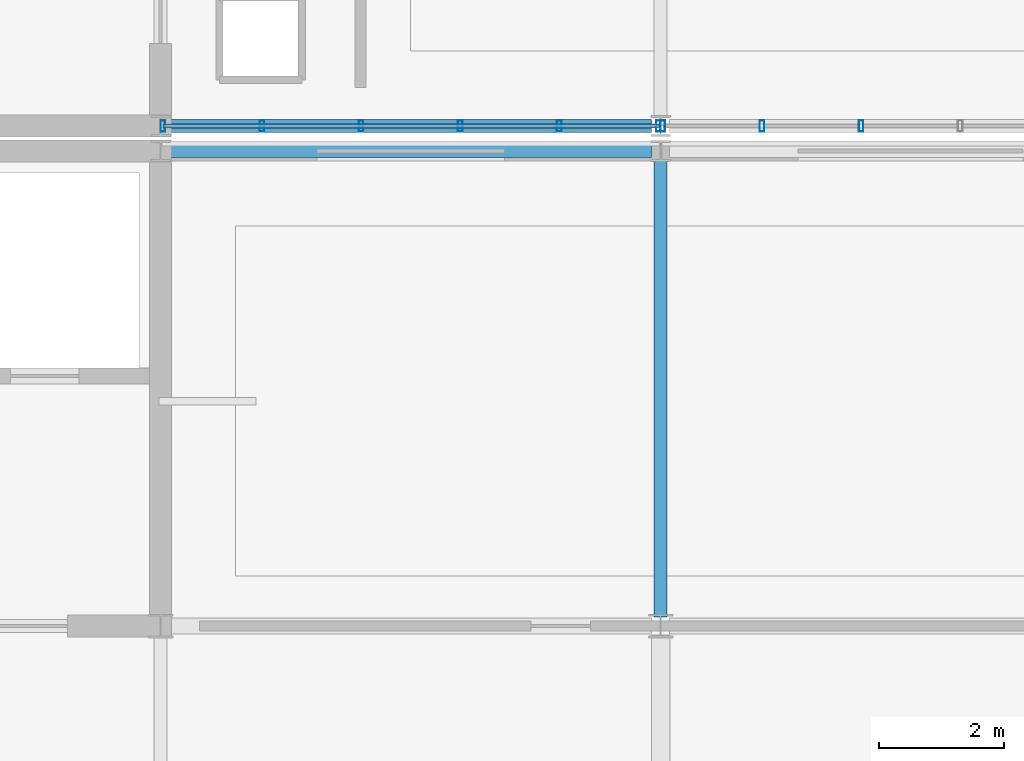
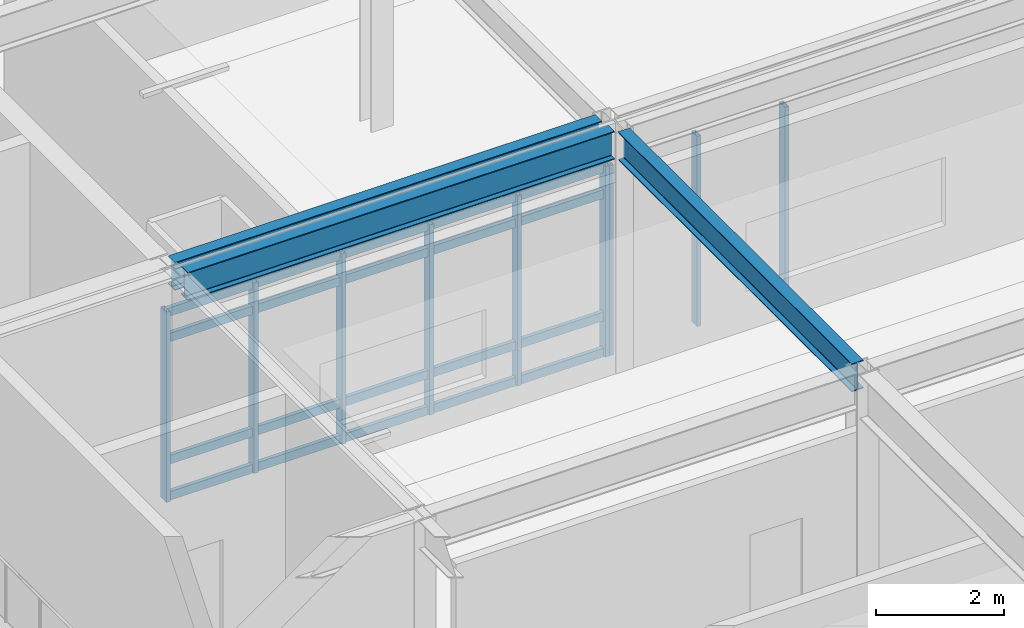
# One storey, part 61 of 104: 13 members, 3 beams, 2 elements without a shape of their own.
"""IFC4 building model written with IfcOpenShell, lengths in metres."""

from ifc_helpers import new_model, si_unit, direction, frame, origin, origin_2d, place, context, subcontext, project, spatial, hollow_rectangle, i_section, extrude, material, material_profile, profile_set, type_object, element, aggregate, save


model = new_model("IFC4")

# Units and contexts
model_context = context("Model", 3, precision=1e-05, world=origin(), true_north=direction((0.0, 1.0)))
body_context = subcontext(model_context, "Body", "Model", "MODEL_VIEW")
ifc_project = project(units=[si_unit("LENGTHUNIT", "METRE"), si_unit("AREAUNIT", "SQUARE_METRE"), si_unit("VOLUMEUNIT", "CUBIC_METRE"), si_unit("PLANEANGLEUNIT", "RADIAN"), si_unit("MASSUNIT", "GRAM", prefix="KILO")], contexts=[model_context])

# Site, building, storey
site_placement = place(None, origin())
site = spatial("IfcSite", under=ifc_project, at=site_placement, CompositionType="ELEMENT")
building_placement = place(site_placement, origin())
building = spatial("IfcBuilding", under=site, at=building_placement, Name="Zulena Civic Courthouse", CompositionType="ELEMENT")
storey_placement = place(building_placement, frame((0.0, 0.0, 15.60009765625)))
storey = spatial("IfcBuildingStorey", under=building, at=storey_placement, Name="L03", CompositionType="ELEMENT", Elevation=15.60009765625)

# Curtain wall, members
ifc_material_1 = material(Name="Double-silver low-E laminated solar-control glass", Category="glass")
curtain_wall_type = type_object("IfcCurtainWallType", Name="CW_7928x3635", PredefinedType="USERDEFINED", material=ifc_material_1)
curtain_wall_1_placement = place(storey_placement, origin())
curtain_wall_1 = element("IfcCurtainWall", 1, at=curtain_wall_1_placement, inside=storey, type_object=curtain_wall_type, Name="cw:V3:L03:3:3", ObjectType="UNITISED CURTAIN WALL", PredefinedType="USERDEFINED")
ifc_material_2 = material(Name="Bronze anodised thermally broken aluminium AA6063-T6", Category="aluminium")
ifc_material_profile_1 = material_profile(ifc_material_2, hollow_rectangle(XDim=0.074951171875, YDim=0.179931640625, WallThickness=0.0048828125, at=origin_2d()), Name="CWM180X75X5")
ifc_profile_set_1 = profile_set([ifc_material_profile_1], Name="Bronze anodised thermally broken aluminium AA6063-T6")
member_type_1 = type_object("IfcMemberType", Name="CWMullion_180x75", PredefinedType="MULLION", material=ifc_profile_set_1)
member_1_placement = place(storey_placement, frame((143.207275390625, 30.800048828125, 0.0), z_axis=(0.0, 0.0, 1.0), x_axis=(1.0, 0.0, 0.0)))
member_1 = element("IfcMember", 2, at=member_1_placement, type_object=member_type_1, Name="cw:V3:L03:3:3:mull:3", PredefinedType="MULLION", context=body_context, shape_type="SweptSolid", body=[
    extrude(hollow_rectangle(XDim=0.074951171875, YDim=0.179931640625, WallThickness=0.0048828125, at=origin_2d()), origin(), (0.0, 0.0, 1.0), 3.635009765625),
])
member_2_placement = place(storey_placement, frame((141.62158203125, 30.800048828125, 0.0), z_axis=(0.0, 0.0, 1.0), x_axis=(1.0, 0.0, 0.0)))
member_2 = element("IfcMember", 3, at=member_2_placement, type_object=member_type_1, Name="cw:V3:L03:3:3:mull:4", PredefinedType="MULLION", context=body_context, shape_type="SweptSolid", body=[
    extrude(hollow_rectangle(XDim=0.074951171875, YDim=0.179931640625, WallThickness=0.0048828125, at=origin_2d()), origin(), (0.0, 0.0, 1.0), 3.635009765625),
])
member_3_placement = place(storey_placement, frame((140.035888671875, 30.800048828125, 0.0), z_axis=(0.0, 0.0, 1.0), x_axis=(1.0, 0.0, 0.0)))
member_3 = element("IfcMember", 4, at=member_3_placement, type_object=member_type_1, Name="cw:V3:L03:3:3:mull:5", PredefinedType="MULLION", context=body_context, shape_type="SweptSolid", body=[
    extrude(hollow_rectangle(XDim=0.074951171875, YDim=0.179931640625, WallThickness=0.0048828125, at=origin_2d()), origin(), (0.0, 0.0, 1.0), 3.635009765625),
])
aggregate(curtain_wall_1, [member_1, member_2, member_3])

curtain_wall_2_placement = place(storey_placement, origin())
curtain_wall_2 = element("IfcCurtainWall", 5, at=curtain_wall_2_placement, inside=storey, type_object=curtain_wall_type, Name="cw:V3:L03:3:4", ObjectType="UNITISED CURTAIN WALL", PredefinedType="USERDEFINED")
member_4_placement = place(storey_placement, frame((139.964111328125, 30.800048828125, 0.0), z_axis=(0.0, 0.0, 1.0), x_axis=(1.0, 0.0, 0.0)))
member_4 = element("IfcMember", 6, at=member_4_placement, type_object=member_type_1, Name="cw:V3:L03:3:4:mull:0", PredefinedType="MULLION", context=body_context, shape_type="SweptSolid", body=[
    extrude(hollow_rectangle(XDim=0.074951171875, YDim=0.179931640625, WallThickness=0.0048828125, at=origin_2d()), origin(), (0.0, 0.0, 1.0), 3.635009765625),
])
member_5_placement = place(storey_placement, frame((138.37841796875, 30.800048828125, 0.0), z_axis=(0.0, 0.0, 1.0), x_axis=(1.0, 0.0, 0.0)))
member_5 = element("IfcMember", 7, at=member_5_placement, type_object=member_type_1, Name="cw:V3:L03:3:4:mull:1", PredefinedType="MULLION", context=body_context, shape_type="SweptSolid", body=[
    extrude(hollow_rectangle(XDim=0.074951171875, YDim=0.179931640625, WallThickness=0.0048828125, at=origin_2d()), origin(), (0.0, 0.0, 1.0), 3.635009765625),
])
member_6_placement = place(storey_placement, frame((136.792724609375, 30.800048828125, 0.0), z_axis=(0.0, 0.0, 1.0), x_axis=(1.0, 0.0, 0.0)))
member_6 = element("IfcMember", 8, at=member_6_placement, type_object=member_type_1, Name="cw:V3:L03:3:4:mull:2", PredefinedType="MULLION", context=body_context, shape_type="SweptSolid", body=[
    extrude(hollow_rectangle(XDim=0.074951171875, YDim=0.179931640625, WallThickness=0.0048828125, at=origin_2d()), origin(), (0.0, 0.0, 1.0), 3.635009765625),
])
member_7_placement = place(storey_placement, frame((135.207275390625, 30.800048828125, 0.0), z_axis=(0.0, 0.0, 1.0), x_axis=(1.0, 0.0, 0.0)))
member_7 = element("IfcMember", 9, at=member_7_placement, type_object=member_type_1, Name="cw:V3:L03:3:4:mull:3", PredefinedType="MULLION", context=body_context, shape_type="SweptSolid", body=[
    extrude(hollow_rectangle(XDim=0.074951171875, YDim=0.179931640625, WallThickness=0.0048828125, at=origin_2d()), origin(), (0.0, 0.0, 1.0), 3.635009765625),
])
member_8_placement = place(storey_placement, frame((133.62158203125, 30.800048828125, 0.0), z_axis=(0.0, 0.0, 1.0), x_axis=(1.0, 0.0, 0.0)))
member_8 = element("IfcMember", 10, at=member_8_placement, type_object=member_type_1, Name="cw:V3:L03:3:4:mull:4", PredefinedType="MULLION", context=body_context, shape_type="SweptSolid", body=[
    extrude(hollow_rectangle(XDim=0.074951171875, YDim=0.179931640625, WallThickness=0.0048828125, at=origin_2d()), origin(), (0.0, 0.0, 1.0), 3.635009765625),
])
member_9_placement = place(storey_placement, frame((132.035888671875, 30.800048828125, 0.0), z_axis=(0.0, 0.0, 1.0), x_axis=(1.0, 0.0, 0.0)))
member_9 = element("IfcMember", 11, at=member_9_placement, type_object=member_type_1, Name="cw:V3:L03:3:4:mull:5", PredefinedType="MULLION", context=body_context, shape_type="SweptSolid", body=[
    extrude(hollow_rectangle(XDim=0.074951171875, YDim=0.179931640625, WallThickness=0.0048828125, at=origin_2d()), origin(), (0.0, 0.0, 1.0), 3.635009765625),
])
ifc_material_profile_2 = material_profile(ifc_material_2, hollow_rectangle(XDim=0.070068359375, YDim=0.1650390625, WallThickness=0.00390625, at=origin_2d()), Name="CWT165X70X4")
ifc_profile_set_2 = profile_set([ifc_material_profile_2], Name="Bronze anodised thermally broken aluminium AA6063-T6")
member_type_2 = type_object("IfcMemberType", Name="CWTransom_165x70", PredefinedType="USERDEFINED", material=ifc_profile_set_2)
member_10_placement = place(storey_placement, frame((139.964111328125, 30.800048828125, 0.059814453125), z_axis=(-1.0, 0.0, 0.0), x_axis=(0.0, -1.0, 0.0)))
member_10 = element("IfcMember", 12, at=member_10_placement, type_object=member_type_2, Name="cw:V3:L03:3:4:tran:0", ObjectType="TRANSOM", PredefinedType="USERDEFINED", context=body_context, shape_type="SweptSolid", body=[
    extrude(hollow_rectangle(XDim=0.070068359375, YDim=0.1650390625, WallThickness=0.00390625, at=origin_2d()), origin(), (0.0, 0.0, 1.0), 7.92822265625),
])
member_11_placement = place(storey_placement, frame((139.964111328125, 30.800048828125, 0.75), z_axis=(-1.0, 0.0, 0.0), x_axis=(0.0, -1.0, 0.0)))
member_11 = element("IfcMember", 13, at=member_11_placement, type_object=member_type_2, Name="cw:V3:L03:3:4:tran:1", ObjectType="TRANSOM", PredefinedType="USERDEFINED", context=body_context, shape_type="SweptSolid", body=[
    extrude(hollow_rectangle(XDim=0.070068359375, YDim=0.1650390625, WallThickness=0.00390625, at=origin_2d()), origin(), (0.0, 0.0, 1.0), 7.92822265625),
])
member_12_placement = place(storey_placement, frame((139.964111328125, 30.800048828125, 3.0849609375), z_axis=(-1.0, 0.0, 0.0), x_axis=(0.0, -1.0, 0.0)))
member_12 = element("IfcMember", 14, at=member_12_placement, type_object=member_type_2, Name="cw:V3:L03:3:4:tran:2", ObjectType="TRANSOM", PredefinedType="USERDEFINED", context=body_context, shape_type="SweptSolid", body=[
    extrude(hollow_rectangle(XDim=0.070068359375, YDim=0.1650390625, WallThickness=0.00390625, at=origin_2d()), origin(), (0.0, 0.0, 1.0), 7.92822265625),
])
member_13_placement = place(storey_placement, frame((139.964111328125, 30.800048828125, 3.574951171875), z_axis=(-1.0, 0.0, 0.0), x_axis=(0.0, -1.0, 0.0)))
member_13 = element("IfcMember", 15, at=member_13_placement, type_object=member_type_2, Name="cw:V3:L03:3:4:tran:3", ObjectType="TRANSOM", PredefinedType="USERDEFINED", context=body_context, shape_type="SweptSolid", body=[
    extrude(hollow_rectangle(XDim=0.070068359375, YDim=0.1650390625, WallThickness=0.00390625, at=origin_2d()), origin(), (0.0, 0.0, 1.0), 7.92822265625),
])
aggregate(curtain_wall_2, [member_4, member_5, member_6, member_7, member_8, member_9, member_10, member_11, member_12, member_13])

# Beams
ifc_material_3 = material(Name="Steel ASTM A992 Grade 50", Category="steel")
ifc_material_profile_3 = material_profile(ifc_material_3, i_section(OverallWidth=0.2099609375, OverallDepth=0.537109375, WebThickness=0.010986328125, FlangeThickness=0.017333984375, FilletRadius=0.0126953125, at=origin_2d()), Name="W21X68")
ifc_profile_set_3 = profile_set([ifc_material_profile_3], Name="Steel ASTM A992 Grade 50")
beam_type = type_object("IfcBeamType", Name="Spandrel_W21X68", PredefinedType="SPANDREL", material=ifc_profile_set_3)
beam_1_placement = place(storey_placement, frame((132.14501953125, 30.39990234375, 4.326416015625), z_axis=(1.0, 0.0, 0.0), x_axis=(0.0, 1.0, 0.0)))
element("IfcBeam", 16, at=beam_1_placement, inside=storey, type_object=beam_type, Name="beam:X:V1:L03:30.4:132.0_140.0", PredefinedType="SPANDREL", context=body_context, shape_type="SweptSolid", body=[
    extrude(i_section(OverallWidth=0.2099609375, OverallDepth=0.537109375, WebThickness=0.010986328125, FlangeThickness=0.017333984375, FilletRadius=0.0126953125, at=origin_2d()), origin(), (0.0, 0.0, 1.0), 7.7099609375),
])
beam_2_placement = place(storey_placement, frame((140.0, 22.945068359375, 4.326416015625), z_axis=(0.0, 1.0, 0.0), x_axis=(-1.0, 0.0, 0.0)))
element("IfcBeam", 17, at=beam_2_placement, inside=storey, type_object=beam_type, Name="beam:Y:V1:L03:140.0:22.8_30.4", PredefinedType="SPANDREL", context=body_context, shape_type="SweptSolid", body=[
    extrude(i_section(OverallWidth=0.2099609375, OverallDepth=0.537109375, WebThickness=0.010986328125, FlangeThickness=0.017333984375, FilletRadius=0.0126953125, at=origin_2d()), origin(), (0.0, 0.0, 1.0), 7.309814453125),
])
beam_3_placement = place(storey_placement, frame((132.14501953125, 30.800048828125, 4.2763671875), z_axis=(1.0, 0.0, 0.0), x_axis=(0.0, 1.0, 0.0)))
element("IfcBeam", 18, at=beam_3_placement, inside=storey, type_object=beam_type, Name="beam:X:V3:L03:30.8:132.0_140.0", PredefinedType="SPANDREL", context=body_context, shape_type="SweptSolid", body=[
    extrude(i_section(OverallWidth=0.2099609375, OverallDepth=0.537109375, WebThickness=0.010986328125, FlangeThickness=0.017333984375, FilletRadius=0.0126953125, at=origin_2d()), origin(), (0.0, 0.0, 1.0), 7.7099609375),
])

save(model, "model.ifc")
